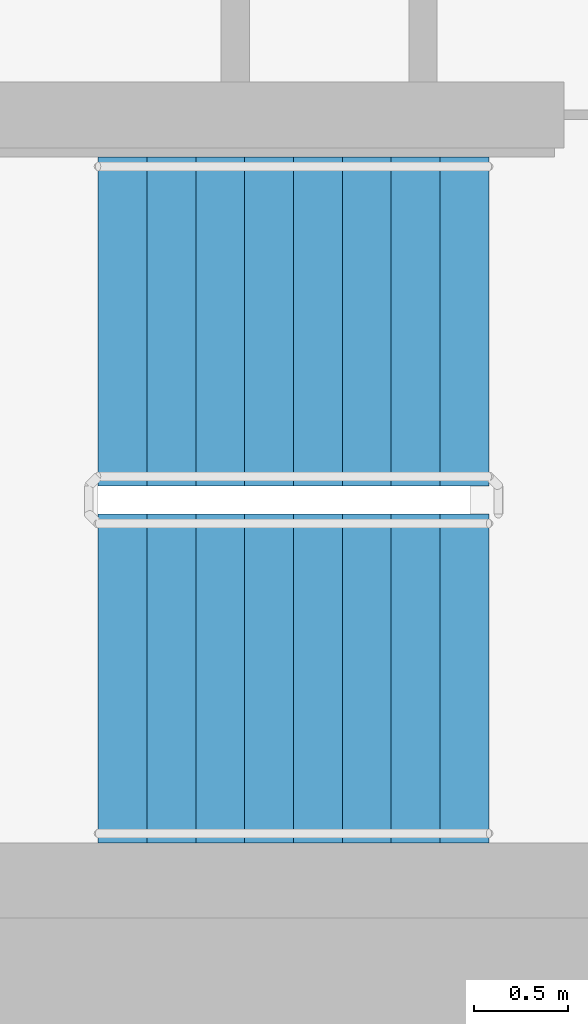
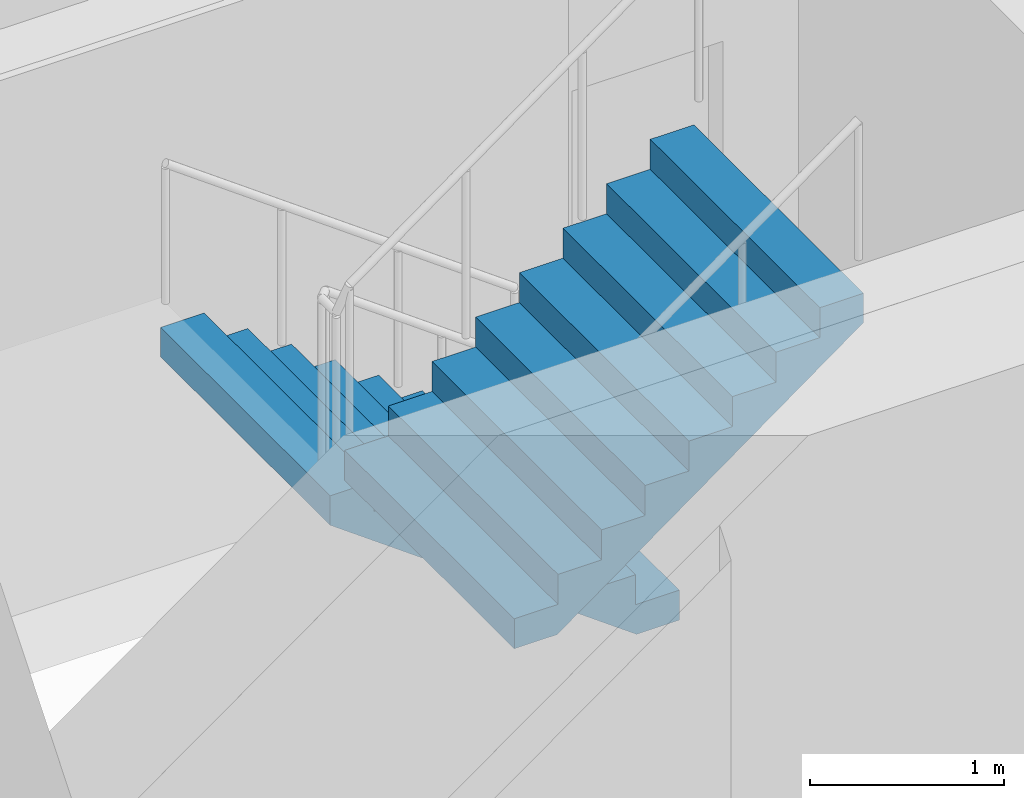
# One storey, part 13 of 19: 2 stair flights, 1 element without a shape of its own.
"""IFC4 building model written with IfcOpenShell, lengths in metres."""

from ifc_helpers import new_model, si_unit, direction, frame, origin, place, context, subcontext, project, spatial, faceted_brep, material, type_object, element, aggregate, save


model = new_model("IFC4")

# Units and contexts
model_context = context("Model", 3, precision=1e-05, world=origin(), true_north=direction((0.0, 1.0)))
body_context = subcontext(model_context, "Body", "Model", "MODEL_VIEW")
ifc_project = project(units=[si_unit("LENGTHUNIT", "METRE"), si_unit("AREAUNIT", "SQUARE_METRE"), si_unit("VOLUMEUNIT", "CUBIC_METRE"), si_unit("PLANEANGLEUNIT", "RADIAN"), si_unit("MASSUNIT", "GRAM", prefix="KILO")], contexts=[model_context])

# Site, building, storey
site_placement = place(None, origin())
site = spatial("IfcSite", under=ifc_project, at=site_placement, CompositionType="ELEMENT")
building_placement = place(site_placement, origin())
building = spatial("IfcBuilding", under=site, at=building_placement, Name="Ipe Terrace Towers", CompositionType="ELEMENT")
storey_placement = place(building_placement, frame((0.0, 0.0, 133.699951171875)))
storey = spatial("IfcBuildingStorey", under=building, at=storey_placement, Name="L36", CompositionType="ELEMENT", Elevation=133.699951171875)

# Stair, stair flights
ifc_material_1 = material(Name="Concrete C30/37", Category="concrete")
stair_type = type_object("IfcStairType", Name="Protected exit stair", PredefinedType="HALF_TURN_STAIR", material=ifc_material_1)
stair_placement = place(storey_placement, origin())
stair = element("IfcStair", 1, at=stair_placement, inside=storey, type_object=stair_type, Name="L36 Exit stair T1-C2", PredefinedType="HALF_TURN_STAIR")
ifc_material_2 = material(Name="Concrete C30/37", Category="concrete")
stair_flight_type = type_object("IfcStairFlightType", Name="Exit stair flight 1750", PredefinedType="STRAIGHT", material=ifc_material_2)
stair_flight_1_placement = place(storey_placement, frame((-45.699951171875, -2.77490234375, 0.0), z_axis=(0.0, 0.0, 1.0), x_axis=(-1.0, 0.0, 0.0)))
stair_flight_1 = element("IfcStairFlight", 2, at=stair_flight_1_placement, type_object=stair_flight_type, Name="T1-ST2 flight 1", NumberOfRisers=9, NumberOfTreads=8, PredefinedType="STRAIGHT", RiserHeight=0.188888889, TreadLength=0.26, context=body_context, shape_type="Brep", body=[
    faceted_brep([(0.255126953125, -0.875, 0.0), (2.080078125, -0.875, 1.325927734375), (2.080078125, -0.875, 1.51123046875), (1.820068359375, -0.875, 1.51123046875), (1.820068359375, -0.875, 1.322265625), (1.56005859375, -0.875, 1.322265625), (1.56005859375, -0.875, 1.13330078125), (1.300048828125, -0.875, 1.13330078125), (1.300048828125, -0.875, 0.9443359375), (1.0400390625, -0.875, 0.9443359375), (1.0400390625, -0.875, 0.755615234375), (0.780029296875, -0.875, 0.755615234375), (0.780029296875, -0.875, 0.566650390625), (0.52001953125, -0.875, 0.566650390625), (0.52001953125, -0.875, 0.377685546875), (0.260009765625, -0.875, 0.377685546875), (0.260009765625, -0.875, 0.18896484375), (0.0, -0.875, 0.18896484375), (0.0, -0.875, 0.0), (0.0, 0.875, 0.0), (0.0, 0.875, 0.18896484375), (0.260009765625, 0.875, 0.18896484375), (0.260009765625, 0.875, 0.377685546875), (0.52001953125, 0.875, 0.377685546875), (0.52001953125, 0.875, 0.566650390625), (0.780029296875, 0.875, 0.566650390625), (0.780029296875, 0.875, 0.755615234375), (1.0400390625, 0.875, 0.755615234375), (1.0400390625, 0.875, 0.9443359375), (1.300048828125, 0.875, 0.9443359375), (1.300048828125, 0.875, 1.13330078125), (1.56005859375, 0.875, 1.13330078125), (1.56005859375, 0.875, 1.322265625), (1.820068359375, 0.875, 1.322265625), (1.820068359375, 0.875, 1.51123046875), (2.080078125, 0.875, 1.51123046875), (2.080078125, 0.875, 1.325927734375), (0.255126953125, 0.875, 0.0), (0.0, -0.300048828125, 0.18896484375), (0.0, -0.1201171875, 0.18896484375), (0.0, -0.06005859375, 0.18896484375), (0.0, -0.030029296875, 0.18896484375), (0.0, -0.010009765625, 0.18896484375), (0.0, 0.0, 0.18896484375), (0.0, 0.010009765625, 0.18896484375), (0.0, 0.030029296875, 0.18896484375), (0.0, 0.06005859375, 0.18896484375), (0.0, 0.1201171875, 0.18896484375), (0.0, 0.300048828125, 0.18896484375), (0.0, 0.300048828125, 0.0), (0.0, 0.1201171875, 0.0), (0.0, 0.06005859375, 0.0), (0.0, 0.030029296875, 0.0), (0.0, 0.010009765625, 0.0), (0.0, 0.0, 0.0), (0.0, -0.010009765625, 0.0), (0.0, -0.030029296875, 0.0), (0.0, -0.06005859375, 0.0), (0.0, -0.1201171875, 0.0), (0.0, -0.300048828125, 0.0), (0.260009765625, -0.300048828125, 0.18896484375), (0.260009765625, -0.1201171875, 0.18896484375), (0.260009765625, -0.06005859375, 0.18896484375), (0.260009765625, -0.030029296875, 0.18896484375), (0.260009765625, -0.010009765625, 0.18896484375), (0.260009765625, 0.0, 0.18896484375), (0.260009765625, 0.010009765625, 0.18896484375), (0.260009765625, 0.030029296875, 0.18896484375), (0.260009765625, 0.06005859375, 0.18896484375), (0.260009765625, 0.1201171875, 0.18896484375), (0.260009765625, 0.300048828125, 0.18896484375), (0.260009765625, -0.300048828125, 0.377685546875), (0.260009765625, -0.1201171875, 0.377685546875), (0.260009765625, -0.06005859375, 0.377685546875), (0.260009765625, -0.030029296875, 0.377685546875), (0.260009765625, -0.010009765625, 0.377685546875), (0.260009765625, 0.0, 0.377685546875), (0.260009765625, 0.010009765625, 0.377685546875), (0.260009765625, 0.030029296875, 0.377685546875), (0.260009765625, 0.06005859375, 0.377685546875), (0.260009765625, 0.1201171875, 0.377685546875), (0.260009765625, 0.300048828125, 0.377685546875), (0.52001953125, -0.300048828125, 0.377685546875), (0.52001953125, -0.1201171875, 0.377685546875), (0.52001953125, -0.06005859375, 0.377685546875), (0.52001953125, -0.030029296875, 0.377685546875), (0.52001953125, -0.010009765625, 0.377685546875), (0.52001953125, 0.0, 0.377685546875), (0.52001953125, 0.010009765625, 0.377685546875), (0.52001953125, 0.030029296875, 0.377685546875), (0.52001953125, 0.06005859375, 0.377685546875), (0.52001953125, 0.1201171875, 0.377685546875), (0.52001953125, 0.300048828125, 0.377685546875), (0.52001953125, -0.300048828125, 0.566650390625), (0.52001953125, -0.1201171875, 0.566650390625), (0.52001953125, -0.06005859375, 0.566650390625), (0.52001953125, -0.030029296875, 0.566650390625), (0.52001953125, -0.010009765625, 0.566650390625), (0.52001953125, 0.0, 0.566650390625), (0.52001953125, 0.010009765625, 0.566650390625), (0.52001953125, 0.030029296875, 0.566650390625), (0.52001953125, 0.06005859375, 0.566650390625), (0.52001953125, 0.1201171875, 0.566650390625), (0.52001953125, 0.300048828125, 0.566650390625), (0.780029296875, -0.300048828125, 0.566650390625), (0.780029296875, -0.1201171875, 0.566650390625), (0.780029296875, -0.06005859375, 0.566650390625), (0.780029296875, -0.030029296875, 0.566650390625), (0.780029296875, -0.010009765625, 0.566650390625), (0.780029296875, 0.0, 0.566650390625), (0.780029296875, 0.010009765625, 0.566650390625), (0.780029296875, 0.030029296875, 0.566650390625), (0.780029296875, 0.06005859375, 0.566650390625), (0.780029296875, 0.1201171875, 0.566650390625), (0.780029296875, 0.300048828125, 0.566650390625), (0.780029296875, -0.300048828125, 0.755615234375), (0.780029296875, -0.1201171875, 0.755615234375), (0.780029296875, -0.06005859375, 0.755615234375), (0.780029296875, -0.030029296875, 0.755615234375), (0.780029296875, -0.010009765625, 0.755615234375), (0.780029296875, 0.0, 0.755615234375), (0.780029296875, 0.010009765625, 0.755615234375), (0.780029296875, 0.030029296875, 0.755615234375), (0.780029296875, 0.06005859375, 0.755615234375), (0.780029296875, 0.1201171875, 0.755615234375), (0.780029296875, 0.300048828125, 0.755615234375), (1.0400390625, -0.300048828125, 0.755615234375), (1.0400390625, -0.1201171875, 0.755615234375), (1.0400390625, -0.06005859375, 0.755615234375), (1.0400390625, -0.030029296875, 0.755615234375), (1.0400390625, -0.010009765625, 0.755615234375), (1.0400390625, 0.0, 0.755615234375), (1.0400390625, 0.010009765625, 0.755615234375), (1.0400390625, 0.030029296875, 0.755615234375), (1.0400390625, 0.06005859375, 0.755615234375), (1.0400390625, 0.1201171875, 0.755615234375), (1.0400390625, 0.300048828125, 0.755615234375), (1.0400390625, -0.300048828125, 0.9443359375), (1.0400390625, -0.1201171875, 0.9443359375), (1.0400390625, -0.06005859375, 0.9443359375), (1.0400390625, -0.030029296875, 0.9443359375), (1.0400390625, -0.010009765625, 0.9443359375), (1.0400390625, 0.0, 0.9443359375), (1.0400390625, 0.010009765625, 0.9443359375), (1.0400390625, 0.030029296875, 0.9443359375), (1.0400390625, 0.06005859375, 0.9443359375), (1.0400390625, 0.1201171875, 0.9443359375), (1.0400390625, 0.300048828125, 0.9443359375), (1.300048828125, -0.300048828125, 0.9443359375), (1.300048828125, -0.1201171875, 0.9443359375), (1.300048828125, -0.06005859375, 0.9443359375), (1.300048828125, -0.030029296875, 0.9443359375), (1.300048828125, -0.010009765625, 0.9443359375), (1.300048828125, 0.0, 0.9443359375), (1.300048828125, 0.010009765625, 0.9443359375), (1.300048828125, 0.030029296875, 0.9443359375), (1.300048828125, 0.06005859375, 0.9443359375), (1.300048828125, 0.1201171875, 0.9443359375), (1.300048828125, 0.300048828125, 0.9443359375), (1.300048828125, -0.300048828125, 1.13330078125), (1.300048828125, -0.1201171875, 1.13330078125), (1.300048828125, -0.06005859375, 1.13330078125), (1.300048828125, -0.030029296875, 1.13330078125), (1.300048828125, -0.010009765625, 1.13330078125), (1.300048828125, 0.0, 1.13330078125), (1.300048828125, 0.010009765625, 1.13330078125), (1.300048828125, 0.030029296875, 1.13330078125), (1.300048828125, 0.06005859375, 1.13330078125), (1.300048828125, 0.1201171875, 1.13330078125), (1.300048828125, 0.300048828125, 1.13330078125), (1.56005859375, -0.300048828125, 1.13330078125), (1.56005859375, -0.1201171875, 1.13330078125), (1.56005859375, -0.06005859375, 1.13330078125), (1.56005859375, -0.030029296875, 1.13330078125), (1.56005859375, -0.010009765625, 1.13330078125), (1.56005859375, 0.0, 1.13330078125), (1.56005859375, 0.010009765625, 1.13330078125), (1.56005859375, 0.030029296875, 1.13330078125), (1.56005859375, 0.06005859375, 1.13330078125), (1.56005859375, 0.1201171875, 1.13330078125), (1.56005859375, 0.300048828125, 1.13330078125), (1.56005859375, -0.300048828125, 1.322265625), (1.56005859375, -0.1201171875, 1.322265625), (1.56005859375, -0.06005859375, 1.322265625), (1.56005859375, -0.030029296875, 1.322265625), (1.56005859375, -0.010009765625, 1.322265625), (1.56005859375, 0.0, 1.322265625), (1.56005859375, 0.010009765625, 1.322265625), (1.56005859375, 0.030029296875, 1.322265625), (1.56005859375, 0.06005859375, 1.322265625), (1.56005859375, 0.1201171875, 1.322265625), (1.56005859375, 0.300048828125, 1.322265625), (1.820068359375, -0.300048828125, 1.322265625), (1.820068359375, -0.1201171875, 1.322265625), (1.820068359375, -0.06005859375, 1.322265625), (1.820068359375, -0.030029296875, 1.322265625), (1.820068359375, -0.010009765625, 1.322265625), (1.820068359375, 0.0, 1.322265625), (1.820068359375, 0.010009765625, 1.322265625), (1.820068359375, 0.030029296875, 1.322265625), (1.820068359375, 0.06005859375, 1.322265625), (1.820068359375, 0.1201171875, 1.322265625), (1.820068359375, 0.300048828125, 1.322265625), (1.820068359375, -0.300048828125, 1.51123046875), (1.820068359375, -0.1201171875, 1.51123046875), (1.820068359375, -0.06005859375, 1.51123046875), (1.820068359375, -0.030029296875, 1.51123046875), (1.820068359375, -0.010009765625, 1.51123046875), (1.820068359375, 0.0, 1.51123046875), (1.820068359375, 0.010009765625, 1.51123046875), (1.820068359375, 0.030029296875, 1.51123046875), (1.820068359375, 0.06005859375, 1.51123046875), (1.820068359375, 0.1201171875, 1.51123046875), (1.820068359375, 0.300048828125, 1.51123046875), (2.080078125, -0.300048828125, 1.51123046875), (2.080078125, -0.1201171875, 1.51123046875), (2.080078125, -0.06005859375, 1.51123046875), (2.080078125, -0.030029296875, 1.51123046875), (2.080078125, -0.010009765625, 1.51123046875), (2.080078125, 0.0, 1.51123046875), (2.080078125, 0.010009765625, 1.51123046875), (2.080078125, 0.030029296875, 1.51123046875), (2.080078125, 0.06005859375, 1.51123046875), (2.080078125, 0.1201171875, 1.51123046875), (2.080078125, 0.300048828125, 1.51123046875), (2.080078125, -0.300048828125, 1.325927734375), (2.080078125, -0.1201171875, 1.325927734375), (2.080078125, -0.06005859375, 1.325927734375), (2.080078125, -0.030029296875, 1.325927734375), (2.080078125, -0.010009765625, 1.325927734375), (2.080078125, 0.0, 1.325927734375), (2.080078125, 0.010009765625, 1.325927734375), (2.080078125, 0.030029296875, 1.325927734375), (2.080078125, 0.06005859375, 1.325927734375), (2.080078125, 0.1201171875, 1.325927734375), (2.080078125, 0.300048828125, 1.325927734375), (0.255126953125, -0.300048828125, 0.0), (0.255126953125, -0.1201171875, 0.0), (0.255126953125, -0.06005859375, 0.0), (0.255126953125, -0.030029296875, 0.0), (0.255126953125, -0.010009765625, 0.0), (0.255126953125, 0.0, 0.0), (0.255126953125, 0.010009765625, 0.0), (0.255126953125, 0.030029296875, 0.0), (0.255126953125, 0.06005859375, 0.0), (0.255126953125, 0.1201171875, 0.0), (0.255126953125, 0.300048828125, 0.0)], [[[0, 1, 2, 3, 4, 5, 6, 7, 8, 9, 10, 11, 12, 13, 14, 15, 16, 17, 18]], [[19, 20, 21, 22, 23, 24, 25, 26, 27, 28, 29, 30, 31, 32, 33, 34, 35, 36, 37]], [[17, 38, 39, 40, 41, 42, 43, 44, 45, 46, 47, 48, 20, 19, 49, 50, 51, 52, 53, 54, 55, 56, 57, 58, 59, 18]], [[16, 60, 61, 62, 63, 64, 65, 66, 67, 68, 69, 70, 21, 20, 48, 47, 46, 45, 44, 43, 42, 41, 40, 39, 38, 17]], [[15, 71, 72, 73, 74, 75, 76, 77, 78, 79, 80, 81, 22, 21, 70, 69, 68, 67, 66, 65, 64, 63, 62, 61, 60, 16]], [[14, 82, 83, 84, 85, 86, 87, 88, 89, 90, 91, 92, 23, 22, 81, 80, 79, 78, 77, 76, 75, 74, 73, 72, 71, 15]], [[13, 93, 94, 95, 96, 97, 98, 99, 100, 101, 102, 103, 24, 23, 92, 91, 90, 89, 88, 87, 86, 85, 84, 83, 82, 14]], [[12, 104, 105, 106, 107, 108, 109, 110, 111, 112, 113, 114, 25, 24, 103, 102, 101, 100, 99, 98, 97, 96, 95, 94, 93, 13]], [[11, 115, 116, 117, 118, 119, 120, 121, 122, 123, 124, 125, 26, 25, 114, 113, 112, 111, 110, 109, 108, 107, 106, 105, 104, 12]], [[10, 126, 127, 128, 129, 130, 131, 132, 133, 134, 135, 136, 27, 26, 125, 124, 123, 122, 121, 120, 119, 118, 117, 116, 115, 11]], [[9, 137, 138, 139, 140, 141, 142, 143, 144, 145, 146, 147, 28, 27, 136, 135, 134, 133, 132, 131, 130, 129, 128, 127, 126, 10]], [[8, 148, 149, 150, 151, 152, 153, 154, 155, 156, 157, 158, 29, 28, 147, 146, 145, 144, 143, 142, 141, 140, 139, 138, 137, 9]], [[7, 159, 160, 161, 162, 163, 164, 165, 166, 167, 168, 169, 30, 29, 158, 157, 156, 155, 154, 153, 152, 151, 150, 149, 148, 8]], [[6, 170, 171, 172, 173, 174, 175, 176, 177, 178, 179, 180, 31, 30, 169, 168, 167, 166, 165, 164, 163, 162, 161, 160, 159, 7]], [[5, 181, 182, 183, 184, 185, 186, 187, 188, 189, 190, 191, 32, 31, 180, 179, 178, 177, 176, 175, 174, 173, 172, 171, 170, 6]], [[4, 192, 193, 194, 195, 196, 197, 198, 199, 200, 201, 202, 33, 32, 191, 190, 189, 188, 187, 186, 185, 184, 183, 182, 181, 5]], [[3, 203, 204, 205, 206, 207, 208, 209, 210, 211, 212, 213, 34, 33, 202, 201, 200, 199, 198, 197, 196, 195, 194, 193, 192, 4]], [[2, 214, 215, 216, 217, 218, 219, 220, 221, 222, 223, 224, 35, 34, 213, 212, 211, 210, 209, 208, 207, 206, 205, 204, 203, 3]], [[1, 225, 226, 227, 228, 229, 230, 231, 232, 233, 234, 235, 36, 35, 224, 223, 222, 221, 220, 219, 218, 217, 216, 215, 214, 2]], [[0, 236, 237, 238, 239, 240, 241, 242, 243, 244, 245, 246, 37, 36, 235, 234, 233, 232, 231, 230, 229, 228, 227, 226, 225, 1]], [[18, 59, 58, 57, 56, 55, 54, 53, 52, 51, 50, 49, 19, 37, 246, 245, 244, 243, 242, 241, 240, 239, 238, 237, 236, 0]]]),
])
stair_flight_2_placement = place(storey_placement, frame((-47.780029296875, -4.675048828125, 1.699951171875), z_axis=(0.0, 0.0, 1.0), x_axis=(1.0, 0.0, 0.0)))
stair_flight_2 = element("IfcStairFlight", 3, at=stair_flight_2_placement, type_object=stair_flight_type, Name="T1-ST2 flight 2", NumberOfRisers=9, NumberOfTreads=8, PredefinedType="STRAIGHT", RiserHeight=0.188888889, TreadLength=0.26, context=body_context, shape_type="Brep", body=[
    faceted_brep([(0.255126953125, -0.875, 0.0), (2.080078125, -0.875, 1.325927734375), (2.080078125, -0.875, 1.51123046875), (1.820068359375, -0.875, 1.51123046875), (1.820068359375, -0.875, 1.322265625), (1.56005859375, -0.875, 1.322265625), (1.56005859375, -0.875, 1.13330078125), (1.300048828125, -0.875, 1.13330078125), (1.300048828125, -0.875, 0.9443359375), (1.0400390625, -0.875, 0.9443359375), (1.0400390625, -0.875, 0.755615234375), (0.780029296875, -0.875, 0.755615234375), (0.780029296875, -0.875, 0.566650390625), (0.52001953125, -0.875, 0.566650390625), (0.52001953125, -0.875, 0.377685546875), (0.260009765625, -0.875, 0.377685546875), (0.260009765625, -0.875, 0.18896484375), (0.0, -0.875, 0.18896484375), (0.0, -0.875, 0.0), (0.0, 0.875, 0.0), (0.0, 0.875, 0.18896484375), (0.260009765625, 0.875, 0.18896484375), (0.260009765625, 0.875, 0.377685546875), (0.52001953125, 0.875, 0.377685546875), (0.52001953125, 0.875, 0.566650390625), (0.780029296875, 0.875, 0.566650390625), (0.780029296875, 0.875, 0.755615234375), (1.0400390625, 0.875, 0.755615234375), (1.0400390625, 0.875, 0.9443359375), (1.300048828125, 0.875, 0.9443359375), (1.300048828125, 0.875, 1.13330078125), (1.56005859375, 0.875, 1.13330078125), (1.56005859375, 0.875, 1.322265625), (1.820068359375, 0.875, 1.322265625), (1.820068359375, 0.875, 1.51123046875), (2.080078125, 0.875, 1.51123046875), (2.080078125, 0.875, 1.325927734375), (0.255126953125, 0.875, 0.0), (0.0, -0.300048828125, 0.18896484375), (0.0, -0.1201171875, 0.18896484375), (0.0, -0.06005859375, 0.18896484375), (0.0, -0.030029296875, 0.18896484375), (0.0, -0.010009765625, 0.18896484375), (0.0, 0.0, 0.18896484375), (0.0, 0.010009765625, 0.18896484375), (0.0, 0.030029296875, 0.18896484375), (0.0, 0.06005859375, 0.18896484375), (0.0, 0.1201171875, 0.18896484375), (0.0, 0.300048828125, 0.18896484375), (0.0, 0.300048828125, 0.0), (0.0, 0.1201171875, 0.0), (0.0, 0.06005859375, 0.0), (0.0, 0.030029296875, 0.0), (0.0, 0.010009765625, 0.0), (0.0, 0.0, 0.0), (0.0, -0.010009765625, 0.0), (0.0, -0.030029296875, 0.0), (0.0, -0.06005859375, 0.0), (0.0, -0.1201171875, 0.0), (0.0, -0.300048828125, 0.0), (0.260009765625, -0.300048828125, 0.18896484375), (0.260009765625, -0.1201171875, 0.18896484375), (0.260009765625, -0.06005859375, 0.18896484375), (0.260009765625, -0.030029296875, 0.18896484375), (0.260009765625, -0.010009765625, 0.18896484375), (0.260009765625, 0.0, 0.18896484375), (0.260009765625, 0.010009765625, 0.18896484375), (0.260009765625, 0.030029296875, 0.18896484375), (0.260009765625, 0.06005859375, 0.18896484375), (0.260009765625, 0.1201171875, 0.18896484375), (0.260009765625, 0.300048828125, 0.18896484375), (0.260009765625, -0.300048828125, 0.377685546875), (0.260009765625, -0.1201171875, 0.377685546875), (0.260009765625, -0.06005859375, 0.377685546875), (0.260009765625, -0.030029296875, 0.377685546875), (0.260009765625, -0.010009765625, 0.377685546875), (0.260009765625, 0.0, 0.377685546875), (0.260009765625, 0.010009765625, 0.377685546875), (0.260009765625, 0.030029296875, 0.377685546875), (0.260009765625, 0.06005859375, 0.377685546875), (0.260009765625, 0.1201171875, 0.377685546875), (0.260009765625, 0.300048828125, 0.377685546875), (0.52001953125, -0.300048828125, 0.377685546875), (0.52001953125, -0.1201171875, 0.377685546875), (0.52001953125, -0.06005859375, 0.377685546875), (0.52001953125, -0.030029296875, 0.377685546875), (0.52001953125, -0.010009765625, 0.377685546875), (0.52001953125, 0.0, 0.377685546875), (0.52001953125, 0.010009765625, 0.377685546875), (0.52001953125, 0.030029296875, 0.377685546875), (0.52001953125, 0.06005859375, 0.377685546875), (0.52001953125, 0.1201171875, 0.377685546875), (0.52001953125, 0.300048828125, 0.377685546875), (0.52001953125, -0.300048828125, 0.566650390625), (0.52001953125, -0.1201171875, 0.566650390625), (0.52001953125, -0.06005859375, 0.566650390625), (0.52001953125, -0.030029296875, 0.566650390625), (0.52001953125, -0.010009765625, 0.566650390625), (0.52001953125, 0.0, 0.566650390625), (0.52001953125, 0.010009765625, 0.566650390625), (0.52001953125, 0.030029296875, 0.566650390625), (0.52001953125, 0.06005859375, 0.566650390625), (0.52001953125, 0.1201171875, 0.566650390625), (0.52001953125, 0.300048828125, 0.566650390625), (0.780029296875, -0.300048828125, 0.566650390625), (0.780029296875, -0.1201171875, 0.566650390625), (0.780029296875, -0.06005859375, 0.566650390625), (0.780029296875, -0.030029296875, 0.566650390625), (0.780029296875, -0.010009765625, 0.566650390625), (0.780029296875, 0.0, 0.566650390625), (0.780029296875, 0.010009765625, 0.566650390625), (0.780029296875, 0.030029296875, 0.566650390625), (0.780029296875, 0.06005859375, 0.566650390625), (0.780029296875, 0.1201171875, 0.566650390625), (0.780029296875, 0.300048828125, 0.566650390625), (0.780029296875, -0.300048828125, 0.755615234375), (0.780029296875, -0.1201171875, 0.755615234375), (0.780029296875, -0.06005859375, 0.755615234375), (0.780029296875, -0.030029296875, 0.755615234375), (0.780029296875, -0.010009765625, 0.755615234375), (0.780029296875, 0.0, 0.755615234375), (0.780029296875, 0.010009765625, 0.755615234375), (0.780029296875, 0.030029296875, 0.755615234375), (0.780029296875, 0.06005859375, 0.755615234375), (0.780029296875, 0.1201171875, 0.755615234375), (0.780029296875, 0.300048828125, 0.755615234375), (1.0400390625, -0.300048828125, 0.755615234375), (1.0400390625, -0.1201171875, 0.755615234375), (1.0400390625, -0.06005859375, 0.755615234375), (1.0400390625, -0.030029296875, 0.755615234375), (1.0400390625, -0.010009765625, 0.755615234375), (1.0400390625, 0.0, 0.755615234375), (1.0400390625, 0.010009765625, 0.755615234375), (1.0400390625, 0.030029296875, 0.755615234375), (1.0400390625, 0.06005859375, 0.755615234375), (1.0400390625, 0.1201171875, 0.755615234375), (1.0400390625, 0.300048828125, 0.755615234375), (1.0400390625, -0.300048828125, 0.9443359375), (1.0400390625, -0.1201171875, 0.9443359375), (1.0400390625, -0.06005859375, 0.9443359375), (1.0400390625, -0.030029296875, 0.9443359375), (1.0400390625, -0.010009765625, 0.9443359375), (1.0400390625, 0.0, 0.9443359375), (1.0400390625, 0.010009765625, 0.9443359375), (1.0400390625, 0.030029296875, 0.9443359375), (1.0400390625, 0.06005859375, 0.9443359375), (1.0400390625, 0.1201171875, 0.9443359375), (1.0400390625, 0.300048828125, 0.9443359375), (1.300048828125, -0.300048828125, 0.9443359375), (1.300048828125, -0.1201171875, 0.9443359375), (1.300048828125, -0.06005859375, 0.9443359375), (1.300048828125, -0.030029296875, 0.9443359375), (1.300048828125, -0.010009765625, 0.9443359375), (1.300048828125, 0.0, 0.9443359375), (1.300048828125, 0.010009765625, 0.9443359375), (1.300048828125, 0.030029296875, 0.9443359375), (1.300048828125, 0.06005859375, 0.9443359375), (1.300048828125, 0.1201171875, 0.9443359375), (1.300048828125, 0.300048828125, 0.9443359375), (1.300048828125, -0.300048828125, 1.13330078125), (1.300048828125, -0.1201171875, 1.13330078125), (1.300048828125, -0.06005859375, 1.13330078125), (1.300048828125, -0.030029296875, 1.13330078125), (1.300048828125, -0.010009765625, 1.13330078125), (1.300048828125, 0.0, 1.13330078125), (1.300048828125, 0.010009765625, 1.13330078125), (1.300048828125, 0.030029296875, 1.13330078125), (1.300048828125, 0.06005859375, 1.13330078125), (1.300048828125, 0.1201171875, 1.13330078125), (1.300048828125, 0.300048828125, 1.13330078125), (1.56005859375, -0.300048828125, 1.13330078125), (1.56005859375, -0.1201171875, 1.13330078125), (1.56005859375, -0.06005859375, 1.13330078125), (1.56005859375, -0.030029296875, 1.13330078125), (1.56005859375, -0.010009765625, 1.13330078125), (1.56005859375, 0.0, 1.13330078125), (1.56005859375, 0.010009765625, 1.13330078125), (1.56005859375, 0.030029296875, 1.13330078125), (1.56005859375, 0.06005859375, 1.13330078125), (1.56005859375, 0.1201171875, 1.13330078125), (1.56005859375, 0.300048828125, 1.13330078125), (1.56005859375, -0.300048828125, 1.322265625), (1.56005859375, -0.1201171875, 1.322265625), (1.56005859375, -0.06005859375, 1.322265625), (1.56005859375, -0.030029296875, 1.322265625), (1.56005859375, -0.010009765625, 1.322265625), (1.56005859375, 0.0, 1.322265625), (1.56005859375, 0.010009765625, 1.322265625), (1.56005859375, 0.030029296875, 1.322265625), (1.56005859375, 0.06005859375, 1.322265625), (1.56005859375, 0.1201171875, 1.322265625), (1.56005859375, 0.300048828125, 1.322265625), (1.820068359375, -0.300048828125, 1.322265625), (1.820068359375, -0.1201171875, 1.322265625), (1.820068359375, -0.06005859375, 1.322265625), (1.820068359375, -0.030029296875, 1.322265625), (1.820068359375, -0.010009765625, 1.322265625), (1.820068359375, 0.0, 1.322265625), (1.820068359375, 0.010009765625, 1.322265625), (1.820068359375, 0.030029296875, 1.322265625), (1.820068359375, 0.06005859375, 1.322265625), (1.820068359375, 0.1201171875, 1.322265625), (1.820068359375, 0.300048828125, 1.322265625), (1.820068359375, -0.300048828125, 1.51123046875), (1.820068359375, -0.1201171875, 1.51123046875), (1.820068359375, -0.06005859375, 1.51123046875), (1.820068359375, -0.030029296875, 1.51123046875), (1.820068359375, -0.010009765625, 1.51123046875), (1.820068359375, 0.0, 1.51123046875), (1.820068359375, 0.010009765625, 1.51123046875), (1.820068359375, 0.030029296875, 1.51123046875), (1.820068359375, 0.06005859375, 1.51123046875), (1.820068359375, 0.1201171875, 1.51123046875), (1.820068359375, 0.300048828125, 1.51123046875), (2.080078125, -0.300048828125, 1.51123046875), (2.080078125, -0.1201171875, 1.51123046875), (2.080078125, -0.06005859375, 1.51123046875), (2.080078125, -0.030029296875, 1.51123046875), (2.080078125, -0.010009765625, 1.51123046875), (2.080078125, 0.0, 1.51123046875), (2.080078125, 0.010009765625, 1.51123046875), (2.080078125, 0.030029296875, 1.51123046875), (2.080078125, 0.06005859375, 1.51123046875), (2.080078125, 0.1201171875, 1.51123046875), (2.080078125, 0.300048828125, 1.51123046875), (2.080078125, -0.300048828125, 1.325927734375), (2.080078125, -0.1201171875, 1.325927734375), (2.080078125, -0.06005859375, 1.325927734375), (2.080078125, -0.030029296875, 1.325927734375), (2.080078125, -0.010009765625, 1.325927734375), (2.080078125, 0.0, 1.325927734375), (2.080078125, 0.010009765625, 1.325927734375), (2.080078125, 0.030029296875, 1.325927734375), (2.080078125, 0.06005859375, 1.325927734375), (2.080078125, 0.1201171875, 1.325927734375), (2.080078125, 0.300048828125, 1.325927734375), (0.255126953125, -0.300048828125, 0.0), (0.255126953125, -0.1201171875, 0.0), (0.255126953125, -0.06005859375, 0.0), (0.255126953125, -0.030029296875, 0.0), (0.255126953125, -0.010009765625, 0.0), (0.255126953125, 0.0, 0.0), (0.255126953125, 0.010009765625, 0.0), (0.255126953125, 0.030029296875, 0.0), (0.255126953125, 0.06005859375, 0.0), (0.255126953125, 0.1201171875, 0.0), (0.255126953125, 0.300048828125, 0.0)], [[[0, 1, 2, 3, 4, 5, 6, 7, 8, 9, 10, 11, 12, 13, 14, 15, 16, 17, 18]], [[19, 20, 21, 22, 23, 24, 25, 26, 27, 28, 29, 30, 31, 32, 33, 34, 35, 36, 37]], [[17, 38, 39, 40, 41, 42, 43, 44, 45, 46, 47, 48, 20, 19, 49, 50, 51, 52, 53, 54, 55, 56, 57, 58, 59, 18]], [[16, 60, 61, 62, 63, 64, 65, 66, 67, 68, 69, 70, 21, 20, 48, 47, 46, 45, 44, 43, 42, 41, 40, 39, 38, 17]], [[15, 71, 72, 73, 74, 75, 76, 77, 78, 79, 80, 81, 22, 21, 70, 69, 68, 67, 66, 65, 64, 63, 62, 61, 60, 16]], [[14, 82, 83, 84, 85, 86, 87, 88, 89, 90, 91, 92, 23, 22, 81, 80, 79, 78, 77, 76, 75, 74, 73, 72, 71, 15]], [[13, 93, 94, 95, 96, 97, 98, 99, 100, 101, 102, 103, 24, 23, 92, 91, 90, 89, 88, 87, 86, 85, 84, 83, 82, 14]], [[12, 104, 105, 106, 107, 108, 109, 110, 111, 112, 113, 114, 25, 24, 103, 102, 101, 100, 99, 98, 97, 96, 95, 94, 93, 13]], [[11, 115, 116, 117, 118, 119, 120, 121, 122, 123, 124, 125, 26, 25, 114, 113, 112, 111, 110, 109, 108, 107, 106, 105, 104, 12]], [[10, 126, 127, 128, 129, 130, 131, 132, 133, 134, 135, 136, 27, 26, 125, 124, 123, 122, 121, 120, 119, 118, 117, 116, 115, 11]], [[9, 137, 138, 139, 140, 141, 142, 143, 144, 145, 146, 147, 28, 27, 136, 135, 134, 133, 132, 131, 130, 129, 128, 127, 126, 10]], [[8, 148, 149, 150, 151, 152, 153, 154, 155, 156, 157, 158, 29, 28, 147, 146, 145, 144, 143, 142, 141, 140, 139, 138, 137, 9]], [[7, 159, 160, 161, 162, 163, 164, 165, 166, 167, 168, 169, 30, 29, 158, 157, 156, 155, 154, 153, 152, 151, 150, 149, 148, 8]], [[6, 170, 171, 172, 173, 174, 175, 176, 177, 178, 179, 180, 31, 30, 169, 168, 167, 166, 165, 164, 163, 162, 161, 160, 159, 7]], [[5, 181, 182, 183, 184, 185, 186, 187, 188, 189, 190, 191, 32, 31, 180, 179, 178, 177, 176, 175, 174, 173, 172, 171, 170, 6]], [[4, 192, 193, 194, 195, 196, 197, 198, 199, 200, 201, 202, 33, 32, 191, 190, 189, 188, 187, 186, 185, 184, 183, 182, 181, 5]], [[3, 203, 204, 205, 206, 207, 208, 209, 210, 211, 212, 213, 34, 33, 202, 201, 200, 199, 198, 197, 196, 195, 194, 193, 192, 4]], [[2, 214, 215, 216, 217, 218, 219, 220, 221, 222, 223, 224, 35, 34, 213, 212, 211, 210, 209, 208, 207, 206, 205, 204, 203, 3]], [[1, 225, 226, 227, 228, 229, 230, 231, 232, 233, 234, 235, 36, 35, 224, 223, 222, 221, 220, 219, 218, 217, 216, 215, 214, 2]], [[0, 236, 237, 238, 239, 240, 241, 242, 243, 244, 245, 246, 37, 36, 235, 234, 233, 232, 231, 230, 229, 228, 227, 226, 225, 1]], [[18, 59, 58, 57, 56, 55, 54, 53, 52, 51, 50, 49, 19, 37, 246, 245, 244, 243, 242, 241, 240, 239, 238, 237, 236, 0]]]),
])
aggregate(stair, [stair_flight_1, stair_flight_2])

save(model, "model.ifc")
